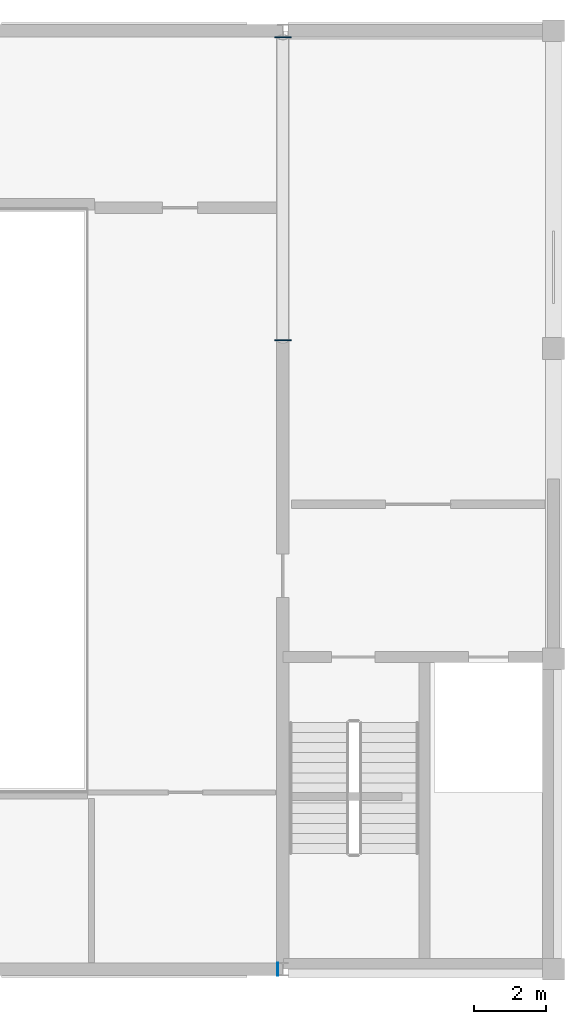
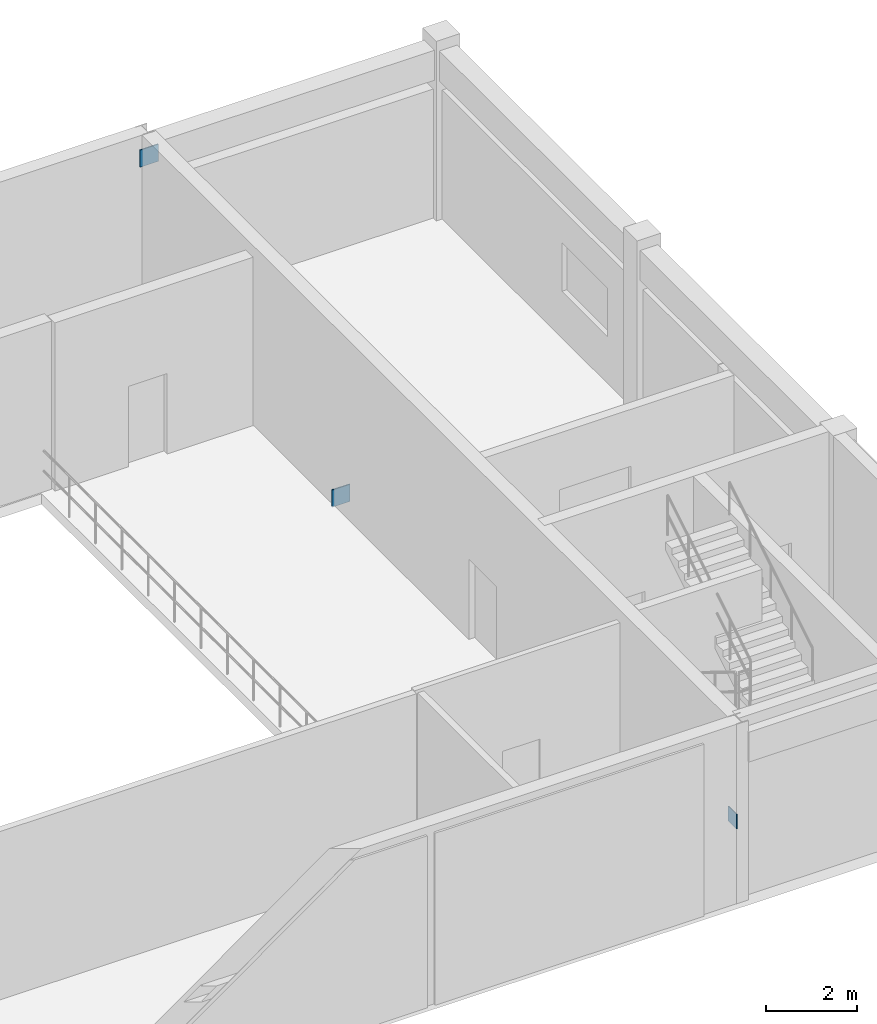
# One storey, part 5 of 9: 3 plates.
"""IFC4 building model written with IfcOpenShell, lengths in metres."""

from ifc_helpers import new_model, si_unit, direction, frame, origin, origin_2d, place, context, subcontext, project, spatial, rectangle, extrude, material, layer, layer_set, type_object, element, save


model = new_model("IFC4")

# Units and contexts
model_context = context("Model", 3, precision=1e-05, world=origin(), true_north=direction((0.0, 1.0)))
body_context = subcontext(model_context, "Body", "Model", "MODEL_VIEW")
ifc_project = project(units=[si_unit("LENGTHUNIT", "METRE"), si_unit("AREAUNIT", "SQUARE_METRE"), si_unit("VOLUMEUNIT", "CUBIC_METRE"), si_unit("PLANEANGLEUNIT", "RADIAN"), si_unit("MASSUNIT", "GRAM", prefix="KILO")], contexts=[model_context])

# Site, building, storey
site_placement = place(None, origin())
site = spatial("IfcSite", under=ifc_project, at=site_placement, CompositionType="ELEMENT")
building_placement = place(site_placement, origin())
building = spatial("IfcBuilding", under=site, at=building_placement, Name="Muzn Square Opera House", CompositionType="ELEMENT")
storey_placement = place(building_placement, frame((0.0, 0.0, 23.39990234375)))
storey = spatial("IfcBuildingStorey", under=building, at=storey_placement, Name="L05", CompositionType="ELEMENT", Elevation=23.39990234375)

# Plates
ifc_material = material(Name="Steel S355", Category="steel")
ifc_layer_1 = layer(ifc_material, 0.028076171875, Name="Steel S355", Category="steel")
ifc_layer_set_1 = layer_set([ifc_layer_1], Name="Steel S355")
plate_type_1 = type_object("IfcPlateType", Name="Gusset Plate 28mm 460x460", PredefinedType="USERDEFINED", material=ifc_layer_set_1)
for number, where, z_axis, x_axis, name in (
    (1, (103.0, 90.02001953125, -0.02978515625), (0.0, 0.0, 1.0), (1.0, 0.0, 0.0), "Lateral Brace End Cap Plate SBRC-04-A"),
    (2, (103.0, 98.419921875, 3.97021484375), (0.0, 0.0, 1.0), (1.0, 0.0, 0.0), "Lateral Brace End Cap Plate SBRC-04-B"),
):
    element("IfcPlate", number, at=place(storey_placement, frame(where, z_axis=z_axis, x_axis=x_axis)), inside=storey, type_object=plate_type_1, Name=name, ObjectType="GUSSET PLATE", PredefinedType="USERDEFINED", context=body_context, shape_type="SweptSolid", body=[
        extrude(rectangle(XDim=0.4599609375, YDim=0.028076171875, at=origin_2d()), origin(), (0.0, 0.0, 1.0), 0.4599609375),
    ])
ifc_layer_2 = layer(ifc_material, 0.02392578125, Name="Steel S355", Category="steel")
ifc_layer_set_2 = layer_set([ifc_layer_2], Name="Steel S355")
plate_type_2 = type_object("IfcPlateType", Name="Proscenium End Plate 24mm 360x400", PredefinedType="USERDEFINED", material=ifc_layer_set_2)
plate_placement = place(storey_placement, frame((102.860107421875, 72.60009765625, 2.000244140625), z_axis=(0.0, 0.0, 1.0), x_axis=(1.0, 0.0, 0.0)))
element("IfcPlate", 3, at=plate_placement, inside=storey, type_object=plate_type_2, Name="Proscenium Chord End Plate PRCH-03-E", ObjectType="GUSSET PLATE", PredefinedType="USERDEFINED", context=body_context, shape_type="SweptSolid", body=[
    extrude(rectangle(XDim=0.02392578125, YDim=0.360107421875, at=origin_2d()), origin(), (0.0, 0.0, 1.0), 0.39990234375),
])

save(model, "model.ifc")
